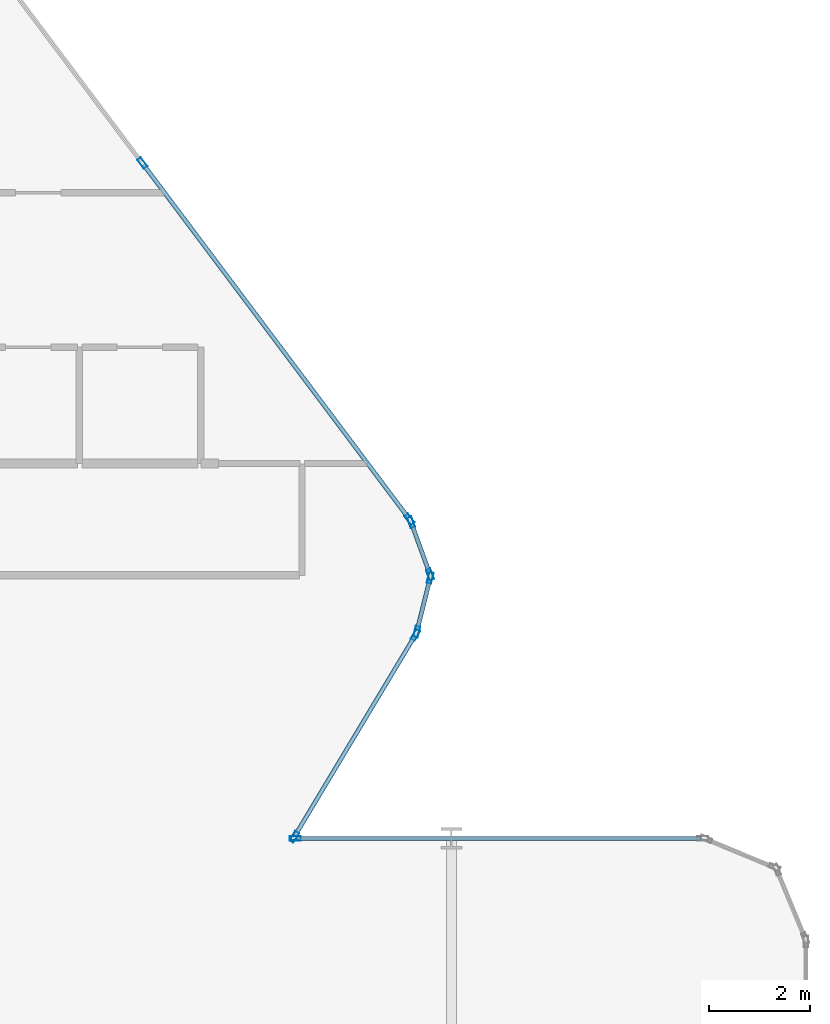
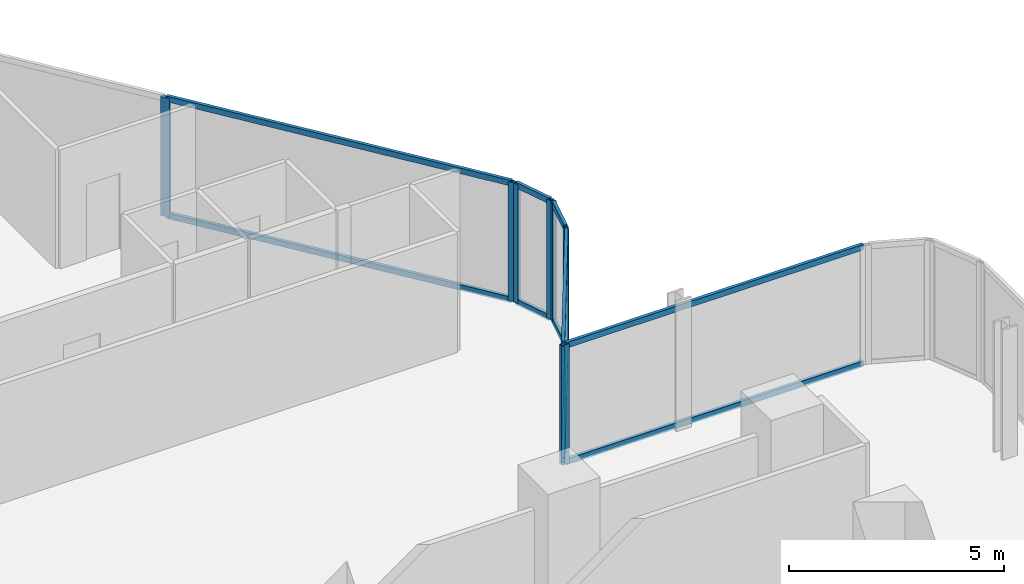
# One storey, part 15 of 33: 19 members, 5 elements without a shape of their own.
"""IFC4 building model written with IfcOpenShell, lengths in metres."""

import ifcopenshell
import ifcopenshell.guid

model = None  # the IFC model being written
_history = None  # IfcOwnerHistory: only IFC2X3 demands one
_inside = {}  # id of a spatial element -> (the spatial element, [elements in it])
_under = {}  # id of a project, library or spatial element -> (it, [spatial elements below it])
_declared = {}  # id of a project -> (the project, [libraries it declares])
_typed = {}  # id of a type object -> (the type object, [elements of that type])
_made_of = {}  # id of a material, layer set ... -> (it, [elements and type objects made of it])


def new_model(schema):
    """Start an empty IFC model of exactly this schema.

    Asked for "IFC4X3", IfcOpenShell would pick the latest addendum, in which some entities
    have other attributes; the version numbers below select the first issue.
    IFC2X3 requires an IfcOwnerHistory on every rooted entity: one is made here for all.
    """
    global model, _history
    if schema == "IFC4X3":
        model = ifcopenshell.file(schema_version=(4, 3, 0, 0))
    else:
        model = ifcopenshell.file(schema=schema)
    _inside.clear()
    _under.clear()
    _declared.clear()
    _typed.clear()
    _made_of.clear()
    _history = None
    if model.schema == "IFC2X3":
        org = make("IfcOrganization", Name="unknown")
        user = make(
            "IfcPersonAndOrganization",
            ThePerson=make("IfcPerson", FamilyName="unknown"),
            TheOrganization=org,
        )
        app = make(
            "IfcApplication",
            ApplicationDeveloper=org,
            Version="unknown",
            ApplicationFullName="unknown",
            ApplicationIdentifier="unknown",
        )
        _history = make(
            "IfcOwnerHistory",
            OwningUser=user,
            OwningApplication=app,
            ChangeAction="ADDED",
            CreationDate=0,
        )
    return model


def make(cls, **values):
    """One entity of the class cls with the attributes given. An attribute that is None is left unset."""
    return model.create_entity(
        cls, **{name: value for name, value in values.items() if value is not None}
    )


def rooted(cls, **values):
    """An entity with a GlobalId (a new one), such as an element, a storey or a relation."""
    return make(cls, GlobalId=ifcopenshell.guid.new(), OwnerHistory=_history, **values)


def si_unit(unit_type, name, prefix=None):
    """IfcSIUnit, for example si_unit("LENGTHUNIT", "METRE", prefix="MILLI")."""
    return make("IfcSIUnit", UnitType=unit_type, Prefix=prefix, Name=name)


def assignment(units):
    """IfcUnitAssignment: the units of a project."""
    return None if units is None else make("IfcUnitAssignment", Units=units)


def point(xyz):
    """IfcCartesianPoint."""
    return None if xyz is None else make("IfcCartesianPoint", Coordinates=xyz)


def direction(xyz):
    """IfcDirection."""
    return None if xyz is None else make("IfcDirection", DirectionRatios=xyz)


def frame(location, z_axis=None, x_axis=None):
    """IfcAxis2Placement3D, a coordinate frame: its origin and axes. An axis left out is left unset."""
    return make(
        "IfcAxis2Placement3D",
        Location=point(location),
        Axis=direction(z_axis),
        RefDirection=direction(x_axis),
    )


def frame_2d(location, x_axis=None):
    """IfcAxis2Placement2D, a coordinate frame in the plane: its origin and x axis."""
    return make(
        "IfcAxis2Placement2D", Location=point(location), RefDirection=direction(x_axis)
    )


def origin():
    """The frame at (0, 0, 0) with its axes left unset."""
    return frame((0.0, 0.0, 0.0))


def origin_2d():
    """The frame at (0, 0) in the plane with its x axis left unset."""
    return frame_2d((0.0, 0.0))


def place(relative_to, where):
    """IfcLocalPlacement: puts the frame where relative to a parent placement (None: the world)."""
    return make(
        "IfcLocalPlacement", PlacementRelTo=relative_to, RelativePlacement=where
    )


def context(
    kind, dimensions, precision=None, world=None, true_north=None, identifier=None
):
    """IfcGeometricRepresentationContext, for example the 3D "Model" context."""
    return make(
        "IfcGeometricRepresentationContext",
        ContextIdentifier=identifier,
        ContextType=kind,
        CoordinateSpaceDimension=dimensions,
        Precision=precision,
        WorldCoordinateSystem=world,
        TrueNorth=true_north,
    )


def subcontext(parent, identifier, kind, view, scale=None):
    """IfcGeometricRepresentationSubContext, for example "Body" below "Model"."""
    return make(
        "IfcGeometricRepresentationSubContext",
        ContextIdentifier=identifier,
        ContextType=kind,
        ParentContext=parent,
        TargetScale=scale,
        TargetView=view,
    )


def project(units=None, contexts=None):
    """IfcProject with its units and contexts."""
    return rooted(
        "IfcProject",
        Name="project",
        RepresentationContexts=contexts,
        UnitsInContext=assignment(units),
    )


def spatial(cls, under=None, at=None, **own):
    """A site, building, storey or space (cls), placed at a placement, below another one or the project."""
    s = rooted(cls, ObjectPlacement=at, **own)
    if under is not None:
        _under.setdefault(under.id(), (under, []))[1].append(s)
    return s


def profile(cls, at=None, kind="AREA", **sizes):
    """A parametric profile (cls). Its sizes go by their IFC names, for example OverallWidth=200.0."""
    return make(cls, ProfileType=kind, Position=at, **sizes)


def hollow_rectangle(**sizes):
    """IfcRectangleHollowProfileDef."""
    return profile("IfcRectangleHollowProfileDef", **sizes)


def extrude(swept, where, along, depth):
    """IfcExtrudedAreaSolid: the profile swept, set in the frame where, extruded along a direction by depth."""
    return make(
        "IfcExtrudedAreaSolid",
        SweptArea=swept,
        Position=where,
        ExtrudedDirection=direction(along),
        Depth=depth,
    )


def shape(context_of_items, identifier, shape_type, items):
    """IfcShapeRepresentation: the items that make up one representation, for example the "Body"."""
    return make(
        "IfcShapeRepresentation",
        ContextOfItems=context_of_items,
        RepresentationIdentifier=identifier,
        RepresentationType=shape_type,
        Items=items,
    )


def material(Name=None, Category=None):
    """IfcMaterial."""
    return make("IfcMaterial", Name=Name, Category=Category)


def layer(
    of_material, thickness, ventilated=None, Name=None, Category=None, Priority=None
):
    """IfcMaterialLayer: one layer of a wall or slab, of a material (None: an air gap)."""
    return make(
        "IfcMaterialLayer",
        Material=of_material,
        LayerThickness=thickness,
        IsVentilated=ventilated,
        Name=Name,
        Category=Category,
        Priority=Priority,
    )


def layer_set(layers, Name=None):
    """IfcMaterialLayerSet."""
    return make("IfcMaterialLayerSet", MaterialLayers=layers, LayerSetName=Name)


def material_profile(
    of_material, cross_section, Name=None, Category=None, Priority=None
):
    """IfcMaterialProfile: a cross section and its material."""
    return make(
        "IfcMaterialProfile",
        Name=Name,
        Material=of_material,
        Profile=cross_section,
        Priority=Priority,
        Category=Category,
    )


def profile_set(profiles, Name=None, composite=None):
    """IfcMaterialProfileSet."""
    return make(
        "IfcMaterialProfileSet",
        Name=Name,
        MaterialProfiles=profiles,
        CompositeProfile=composite,
    )


def made_of(thing, what):
    """Note that an element or type object is made of a material, layer set ...; save() writes the relation."""
    if what is not None:
        _made_of.setdefault(what.id(), (what, []))[1].append(thing)
    return thing


def type_object(cls, material=None, **own):
    """A type object (cls), such as IfcWallType, which elements share."""
    return made_of(rooted(cls, **own), material)


def element(
    cls,
    number,
    at=None,
    inside=None,
    cuts=None,
    type_object=None,
    material=None,
    context=None,
    identifier="Body",
    shape_type=None,
    held_by="IfcProductDefinitionShape",
    body=None,
    shapes=None,
    **own,
):
    """One element of the class cls, such as IfcWall. Its Tag is "e" and its number.

    at: its placement. inside: the storey or other place that contains it. cuts: it is an
    opening in that element (IfcRelVoidsElement). A single representation is given by context,
    identifier, shape_type and body (its items); several are given by shapes. held_by: the class
    of the entity that holds the representations. save() writes the other relations.
    """
    e = rooted(cls, Tag="e%d" % number, ObjectPlacement=at, **own)
    if body is not None:
        shapes = [shape(context, identifier, shape_type, body)]
    if shapes is not None:
        e.Representation = make(held_by, Representations=shapes)
    if inside is not None:
        _inside.setdefault(inside.id(), (inside, []))[1].append(e)
    if cuts is not None:
        rooted(
            "IfcRelVoidsElement", RelatingBuildingElement=cuts, RelatedOpeningElement=e
        )
    if type_object is not None:
        _typed.setdefault(type_object.id(), (type_object, []))[1].append(e)
    return made_of(e, material)


def aggregate(whole, parts):
    """IfcRelAggregates: a whole, such as a stair, and the parts it consists of."""
    return rooted("IfcRelAggregates", RelatingObject=whole, RelatedObjects=parts)


def save(model, path):
    """Write the relations noted so far, then the file.

    IfcRelAggregates (storeys below a building ...), IfcRelContainedInSpatialStructure (elements
    in a storey), IfcRelDefinesByType, IfcRelAssociatesMaterial and IfcRelDeclares: one each for
    every whole, place, type object, material and project.
    """
    for whole, parts in _under.values():
        aggregate(whole, parts)
    for where, things in _inside.values():
        rooted(
            "IfcRelContainedInSpatialStructure",
            RelatedElements=things,
            RelatingStructure=where,
        )
    for kind, things in _typed.values():
        rooted("IfcRelDefinesByType", RelatedObjects=things, RelatingType=kind)
    for what, things in _made_of.values():
        rooted("IfcRelAssociatesMaterial", RelatedObjects=things, RelatingMaterial=what)
    for by, libraries in _declared.values():
        rooted("IfcRelDeclares", RelatingContext=by, RelatedDefinitions=libraries)
    model.write(path)


model = new_model("IFC4")

# Units and contexts
model_context = context("Model", 3, precision=1e-05, world=origin(), true_north=direction((0.0, 1.0)))
body_context = subcontext(model_context, "Body", "Model", "MODEL_VIEW")
ifc_project = project(units=[si_unit("LENGTHUNIT", "METRE"), si_unit("AREAUNIT", "SQUARE_METRE"), si_unit("VOLUMEUNIT", "CUBIC_METRE"), si_unit("PLANEANGLEUNIT", "RADIAN"), si_unit("MASSUNIT", "GRAM", prefix="KILO")], contexts=[model_context])

# Site, building, storey
site_placement = place(None, origin())
site = spatial("IfcSite", under=ifc_project, at=site_placement, CompositionType="ELEMENT")
building_placement = place(site_placement, origin())
building = spatial("IfcBuilding", under=site, at=building_placement, Name="Keshet Zoharim Tower", CompositionType="ELEMENT")
storey_placement = place(building_placement, frame((0.0, 0.0, 42.5)))
storey = spatial("IfcBuildingStorey", under=building, at=storey_placement, Name="L09", CompositionType="ELEMENT", Elevation=42.5)

# Curtain wall, members
ifc_material = material(Name="Aluminium 6063-T6", Category="aluminium")
ifc_layer_1 = layer(ifc_material, 0.169921875)
ifc_layer_set_1 = layer_set([ifc_layer_1], Name="Aluminium 6063-T6")
curtain_wall_type_1 = type_object("IfcCurtainWallType", Name="CW-SYS-02", PredefinedType="NOTDEFINED", material=ifc_layer_set_1)
curtain_wall_1_placement = place(storey_placement, origin())
curtain_wall_1 = element("IfcCurtainWall", 1, at=curtain_wall_1_placement, inside=storey, type_object=curtain_wall_type_1, Name="L09 Unitised Curtain Wall 09", PredefinedType="NOTDEFINED")
ifc_material_profile_1 = material_profile(ifc_material, hollow_rectangle(XDim=0.090087890625, YDim=0.219970703125, WallThickness=0.0048828125, at=origin_2d()), Name="MUL-90x220")
ifc_profile_set_1 = profile_set([ifc_material_profile_1], Name="Aluminium 6063-T6")
member_type_1 = type_object("IfcMemberType", Name="CWM-M22", PredefinedType="MULLION", material=ifc_profile_set_1)
member_1_placement = place(storey_placement, frame((56.896484375, 46.0380859375, 0.0), z_axis=(0.0, 0.0, 1.0), x_axis=(0.799999999998, 0.600000000002, 0.0)))
member_1 = element("IfcMember", 2, at=member_1_placement, type_object=member_type_1, Name="CW-02 mullion 2", PredefinedType="MULLION", context=body_context, shape_type="SweptSolid", body=[
    extrude(hollow_rectangle(XDim=0.090087890625, YDim=0.219970703125, WallThickness=0.0048828125, at=origin_2d()), origin(), (0.0, 0.0, 1.0), 3.385009765625),
])
member_2_placement = place(storey_placement, frame((62.172119140625, 39.00390625, 0.0), z_axis=(0.0, 0.0, 1.0), x_axis=(0.799999999998, 0.600000000002, 0.0)))
member_2 = element("IfcMember", 3, at=member_2_placement, type_object=member_type_1, Name="CW-02 mullion 3", PredefinedType="MULLION", context=body_context, shape_type="SweptSolid", body=[
    extrude(hollow_rectangle(XDim=0.090087890625, YDim=0.219970703125, WallThickness=0.0048828125, at=origin_2d()), origin(), (0.0, 0.0, 1.0), 3.385009765625),
])

curtain_wall_2_placement = place(storey_placement, origin())
curtain_wall_2 = element("IfcCurtainWall", 4, at=curtain_wall_2_placement, inside=storey, type_object=curtain_wall_type_1, Name="L09 Unitised Curtain Wall 10", PredefinedType="NOTDEFINED")
member_3_placement = place(storey_placement, frame((62.204833984375, 38.943115234375, 0.0), z_axis=(0.0, 0.0, 1.0), x_axis=(0.940317877544, 0.340297354046, 0.0)))
member_3 = element("IfcMember", 5, at=member_3_placement, type_object=member_type_1, Name="CW-02 mullion 1", PredefinedType="MULLION", context=body_context, shape_type="SweptSolid", body=[
    extrude(hollow_rectangle(XDim=0.090087890625, YDim=0.219970703125, WallThickness=0.0048828125, at=origin_2d()), origin(), (0.0, 0.0, 1.0), 3.385009765625),
])
member_4_placement = place(storey_placement, frame((62.578125, 37.911865234375, 0.0), z_axis=(0.0, 0.0, 1.0), x_axis=(0.940317877544, 0.340297354046, 0.0)))
member_4 = element("IfcMember", 6, at=member_4_placement, type_object=member_type_1, Name="CW-02 mullion 2", PredefinedType="MULLION", context=body_context, shape_type="SweptSolid", body=[
    extrude(hollow_rectangle(XDim=0.090087890625, YDim=0.219970703125, WallThickness=0.0048828125, at=origin_2d()), origin(), (0.0, 0.0, 1.0), 3.385009765625),
])

curtain_wall_3_placement = place(storey_placement, origin())
curtain_wall_3 = element("IfcCurtainWall", 7, at=curtain_wall_3_placement, inside=storey, type_object=curtain_wall_type_1, Name="L09 Unitised Curtain Wall 11", PredefinedType="NOTDEFINED")
member_5_placement = place(storey_placement, frame((62.58154296875, 37.844970703125, 0.0), z_axis=(0.0, 0.0, 1.0), x_axis=(0.970343857447, -0.241728770141, 0.0)))
member_5 = element("IfcMember", 8, at=member_5_placement, type_object=member_type_1, Name="CW-02 mullion 1", PredefinedType="MULLION", context=body_context, shape_type="SweptSolid", body=[
    extrude(hollow_rectangle(XDim=0.090087890625, YDim=0.219970703125, WallThickness=0.0048828125, at=origin_2d()), origin(), (0.0, 0.0, 1.0), 3.385009765625),
])
member_6_placement = place(storey_placement, frame((62.31640625, 36.781005859375, 0.0), z_axis=(0.0, 0.0, 1.0), x_axis=(0.970343857447, -0.241728770141, 0.0)))
member_6 = element("IfcMember", 9, at=member_6_placement, type_object=member_type_1, Name="CW-02 mullion 2", PredefinedType="MULLION", context=body_context, shape_type="SweptSolid", body=[
    extrude(hollow_rectangle(XDim=0.090087890625, YDim=0.219970703125, WallThickness=0.0048828125, at=origin_2d()), origin(), (0.0, 0.0, 1.0), 3.385009765625),
])

ifc_layer_2 = layer(ifc_material, 0.179931640625)
ifc_layer_set_2 = layer_set([ifc_layer_2], Name="Aluminium 6063-T6")
curtain_wall_type_2 = type_object("IfcCurtainWallType", Name="CW-SYS-01", PredefinedType="NOTDEFINED", material=ifc_layer_set_2)
curtain_wall_4_placement = place(storey_placement, origin())
curtain_wall_4 = element("IfcCurtainWall", 10, at=curtain_wall_4_placement, inside=storey, type_object=curtain_wall_type_2, Name="L09 Unitised Curtain Wall 12", PredefinedType="NOTDEFINED")
member_7_placement = place(storey_placement, frame((62.2900390625, 36.717041015625, 0.0), z_axis=(0.0, 0.0, 1.0), x_axis=(0.857511621163, -0.51446459506, 0.0)))
member_7 = element("IfcMember", 11, at=member_7_placement, type_object=member_type_1, Name="CW-01 mullion 1", PredefinedType="MULLION", context=body_context, shape_type="SweptSolid", body=[
    extrude(hollow_rectangle(XDim=0.090087890625, YDim=0.219970703125, WallThickness=0.0048828125, at=origin_2d()), origin(), (0.0, 0.0, 1.0), 3.385009765625),
])
member_8_placement = place(storey_placement, frame((59.89794921875, 32.72998046875, 0.0), z_axis=(0.0, 0.0, 1.0), x_axis=(0.857511621163, -0.51446459506, 0.0)))
member_8 = element("IfcMember", 12, at=member_8_placement, type_object=member_type_1, Name="CW-01 mullion 2", PredefinedType="MULLION", context=body_context, shape_type="SweptSolid", body=[
    extrude(hollow_rectangle(XDim=0.090087890625, YDim=0.219970703125, WallThickness=0.0048828125, at=origin_2d()), origin(), (0.0, 0.0, 1.0), 3.385009765625),
])

# Curtain wall, member
curtain_wall_5_placement = place(storey_placement, origin())
curtain_wall_5 = element("IfcCurtainWall", 13, at=curtain_wall_5_placement, inside=storey, type_object=curtain_wall_type_1, Name="L09 Unitised Curtain Wall 13", PredefinedType="NOTDEFINED")
member_9_placement = place(storey_placement, frame((59.9150390625, 32.699951171875, 0.0), z_axis=(0.0, 0.0, 1.0), x_axis=(0.0, 1.0, 0.0)))
member_9 = element("IfcMember", 14, at=member_9_placement, type_object=member_type_1, Name="CW-02 mullion 1", PredefinedType="MULLION", context=body_context, shape_type="SweptSolid", body=[
    extrude(hollow_rectangle(XDim=0.090087890625, YDim=0.219970703125, WallThickness=0.0048828125, at=origin_2d()), origin(), (0.0, 0.0, 1.0), 3.385009765625),
])

# Member
ifc_material_profile_2 = material_profile(ifc_material, hollow_rectangle(XDim=0.0849609375, YDim=0.159912109375, WallThickness=0.00439453125, at=origin_2d()), Name="TRN-85x160")
ifc_profile_set_2 = profile_set([ifc_material_profile_2], Name="Aluminium 6063-T6")
member_type_2 = type_object("IfcMemberType", Name="CWT-T16", PredefinedType="USERDEFINED", material=ifc_profile_set_2)
member_10_placement = place(storey_placement, frame((56.91748046875, 46.010009765625, 0.034912109375), z_axis=(0.599991043201, -0.800006717521, 0.0), x_axis=(0.800006717521, 0.599991043201, 0.0)))
member_10 = element("IfcMember", 15, at=member_10_placement, type_object=member_type_2, Name="CW-02 transom 2.1", ObjectType="TRANSOM", PredefinedType="USERDEFINED", context=body_context, shape_type="SweptSolid", body=[
    extrude(hollow_rectangle(XDim=0.0849609375, YDim=0.159912109375, WallThickness=0.00439453125, at=origin_2d()), origin(), (0.0, 0.0, 1.0), 8.722412109375),
])

member_11_placement = place(storey_placement, frame((56.91748046875, 46.010009765625, 3.35009765625), z_axis=(0.599991043201, -0.800006717521, 0.0), x_axis=(0.800006717521, 0.599991043201, 0.0)))
member_11 = element("IfcMember", 16, at=member_11_placement, type_object=member_type_2, Name="CW-02 transom 2.2", ObjectType="TRANSOM", PredefinedType="USERDEFINED", context=body_context, shape_type="SweptSolid", body=[
    extrude(hollow_rectangle(XDim=0.0849609375, YDim=0.159912109375, WallThickness=0.00439453125, at=origin_2d()), origin(), (0.0, 0.0, 1.0), 8.722412109375),
])

aggregate(curtain_wall_1, [member_1, member_2, member_10, member_11])

member_12_placement = place(storey_placement, frame((62.216796875, 38.91015625, 0.034912109375), z_axis=(0.340310579984, -0.940313091024, 0.0), x_axis=(0.940313091024, 0.340310579984, 0.0)))
member_12 = element("IfcMember", 17, at=member_12_placement, type_object=member_type_2, Name="CW-02 transom 1.1", ObjectType="TRANSOM", PredefinedType="USERDEFINED", context=body_context, shape_type="SweptSolid", body=[
    extrude(hollow_rectangle(XDim=0.0849609375, YDim=0.159912109375, WallThickness=0.00439453125, at=origin_2d()), origin(), (0.0, 0.0, 1.0), 1.026611328125),
])

member_13_placement = place(storey_placement, frame((62.216796875, 38.91015625, 3.35009765625), z_axis=(0.340310579984, -0.940313091024, 0.0), x_axis=(0.940313091024, 0.340310579984, 0.0)))
member_13 = element("IfcMember", 18, at=member_13_placement, type_object=member_type_2, Name="CW-02 transom 1.2", ObjectType="TRANSOM", PredefinedType="USERDEFINED", context=body_context, shape_type="SweptSolid", body=[
    extrude(hollow_rectangle(XDim=0.0849609375, YDim=0.159912109375, WallThickness=0.00439453125, at=origin_2d()), origin(), (0.0, 0.0, 1.0), 1.026611328125),
])

aggregate(curtain_wall_2, [member_3, member_4, member_12, member_13])

member_14_placement = place(storey_placement, frame((62.572998046875, 37.81103515625, 0.034912109375), z_axis=(-0.241640143717, -0.970365931463, 0.0), x_axis=(0.970365931463, -0.241640143717, 0.0)))
member_14 = element("IfcMember", 19, at=member_14_placement, type_object=member_type_2, Name="CW-02 transom 1.1", ObjectType="TRANSOM", PredefinedType="USERDEFINED", context=body_context, shape_type="SweptSolid", body=[
    extrude(hollow_rectangle(XDim=0.0849609375, YDim=0.159912109375, WallThickness=0.00439453125, at=origin_2d()), origin(), (0.0, 0.0, 1.0), 1.026611328125),
])

member_15_placement = place(storey_placement, frame((62.572998046875, 37.81103515625, 3.35009765625), z_axis=(-0.241640143717, -0.970365931463, 0.0), x_axis=(0.970365931463, -0.241640143717, 0.0)))
member_15 = element("IfcMember", 20, at=member_15_placement, type_object=member_type_2, Name="CW-02 transom 1.2", ObjectType="TRANSOM", PredefinedType="USERDEFINED", context=body_context, shape_type="SweptSolid", body=[
    extrude(hollow_rectangle(XDim=0.0849609375, YDim=0.159912109375, WallThickness=0.00439453125, at=origin_2d()), origin(), (0.0, 0.0, 1.0), 1.026611328125),
])

aggregate(curtain_wall_3, [member_5, member_6, member_14, member_15])

member_16_placement = place(storey_placement, frame((62.27197265625, 36.68701171875, 0.034912109375), z_axis=(-0.514456555213, -0.857516444622, 0.0), x_axis=(0.857516444622, -0.514456555213, 0.0)))
member_16 = element("IfcMember", 21, at=member_16_placement, type_object=member_type_2, Name="CW-01 transom 1.1", ObjectType="TRANSOM", PredefinedType="USERDEFINED", context=body_context, shape_type="SweptSolid", body=[
    extrude(hollow_rectangle(XDim=0.0849609375, YDim=0.159912109375, WallThickness=0.00439453125, at=origin_2d()), origin(), (0.0, 0.0, 1.0), 4.57958984375),
])

member_17_placement = place(storey_placement, frame((62.27197265625, 36.68701171875, 3.35009765625), z_axis=(-0.514456555213, -0.857516444622, 0.0), x_axis=(0.857516444622, -0.514456555213, 0.0)))
member_17 = element("IfcMember", 22, at=member_17_placement, type_object=member_type_2, Name="CW-01 transom 1.2", ObjectType="TRANSOM", PredefinedType="USERDEFINED", context=body_context, shape_type="SweptSolid", body=[
    extrude(hollow_rectangle(XDim=0.0849609375, YDim=0.159912109375, WallThickness=0.00439453125, at=origin_2d()), origin(), (0.0, 0.0, 1.0), 4.57958984375),
])

aggregate(curtain_wall_4, [member_7, member_8, member_16, member_17])

member_18_placement = place(storey_placement, frame((59.949951171875, 32.699951171875, 0.034912109375), z_axis=(1.0, 0.0, 0.0), x_axis=(0.0, 1.0, 0.0)))
member_18 = element("IfcMember", 23, at=member_18_placement, type_object=member_type_2, Name="CW-02 transom 1.1", ObjectType="TRANSOM", PredefinedType="USERDEFINED", context=body_context, shape_type="SweptSolid", body=[
    extrude(hollow_rectangle(XDim=0.0849609375, YDim=0.159912109375, WallThickness=0.00439453125, at=origin_2d()), origin(), (0.0, 0.0, 1.0), 7.97998046875),
])

member_19_placement = place(storey_placement, frame((59.949951171875, 32.699951171875, 3.35009765625), z_axis=(1.0, 0.0, 0.0), x_axis=(0.0, 1.0, 0.0)))
member_19 = element("IfcMember", 24, at=member_19_placement, type_object=member_type_2, Name="CW-02 transom 1.2", ObjectType="TRANSOM", PredefinedType="USERDEFINED", context=body_context, shape_type="SweptSolid", body=[
    extrude(hollow_rectangle(XDim=0.0849609375, YDim=0.159912109375, WallThickness=0.00439453125, at=origin_2d()), origin(), (0.0, 0.0, 1.0), 7.97998046875),
])

aggregate(curtain_wall_5, [member_9, member_18, member_19])

save(model, "model.ifc")
